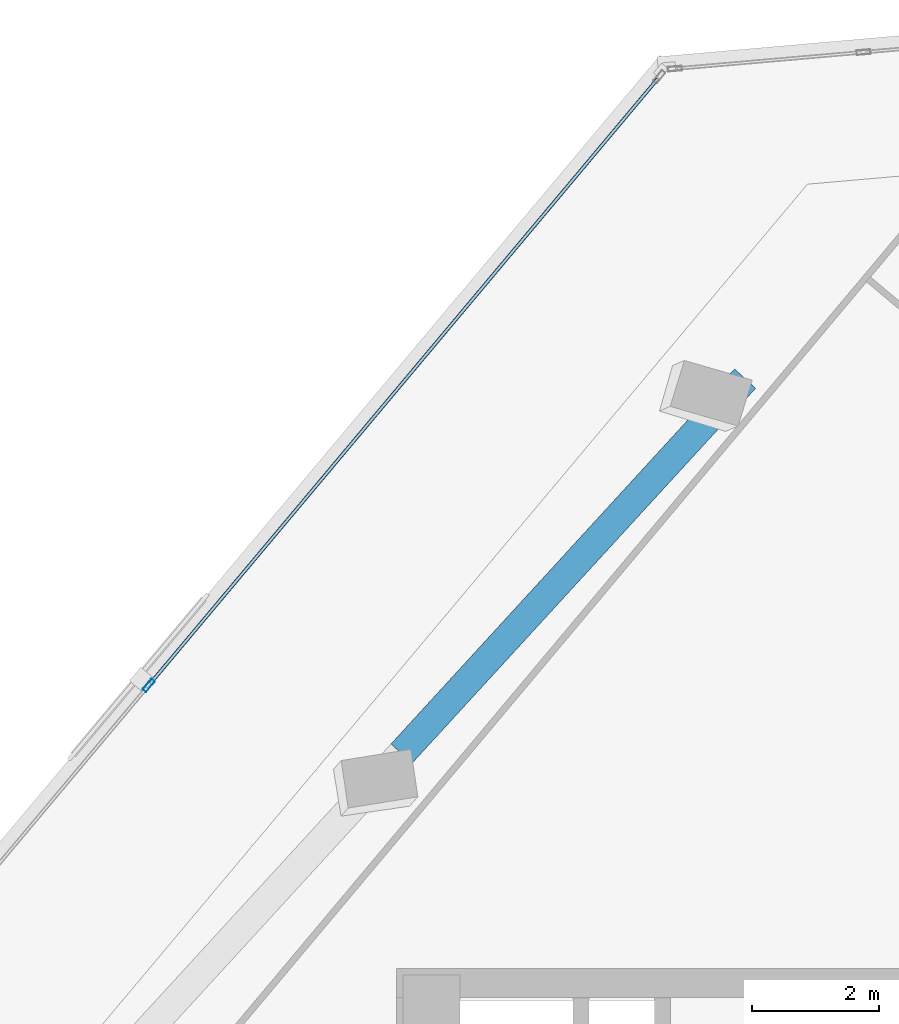
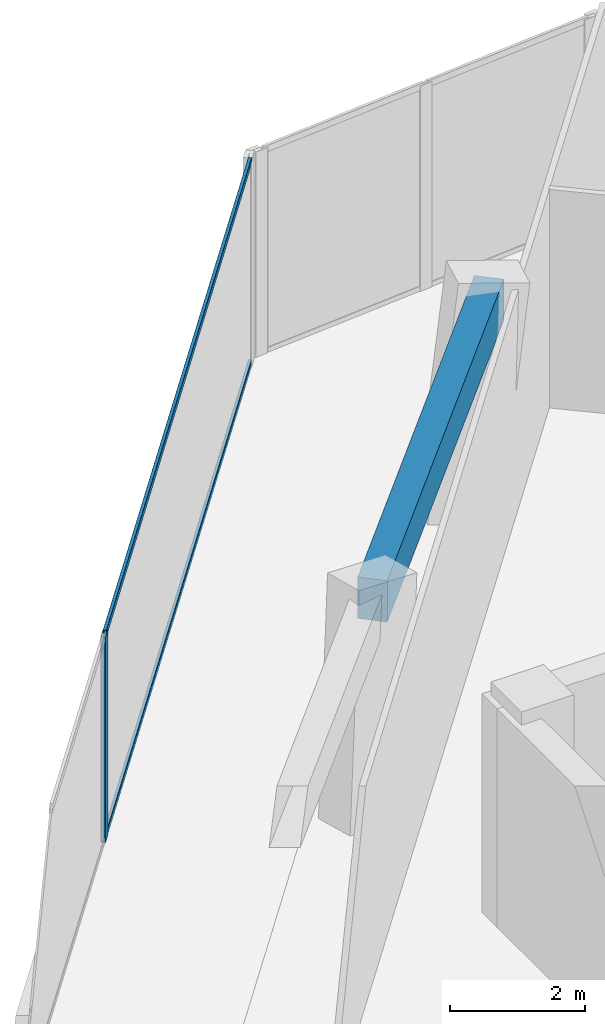
# One storey, part 9 of 18: 3 members, 1 beam, 1 element without a shape of its own.
"""IFC4 building model written with IfcOpenShell, lengths in metres."""

from ifc_helpers import new_model, si_unit, direction, frame, origin, origin_2d, place, context, subcontext, project, spatial, rectangle, hollow_rectangle, extrude, source, transform, mapped, material, material_profile, profile_set, type_object, element, aggregate, save


model = new_model("IFC4")

# Units and contexts
model_context = context("Model", 3, precision=1e-05, world=origin(), true_north=direction((0.0, 1.0)))
body_context = subcontext(model_context, "Body", "Model", "MODEL_VIEW")
ifc_project = project(units=[si_unit("LENGTHUNIT", "METRE"), si_unit("AREAUNIT", "SQUARE_METRE"), si_unit("VOLUMEUNIT", "CUBIC_METRE"), si_unit("PLANEANGLEUNIT", "RADIAN"), si_unit("MASSUNIT", "GRAM", prefix="KILO")], contexts=[model_context])

# Site, building, storey
site_placement = place(None, origin())
site = spatial("IfcSite", under=ifc_project, at=site_placement, CompositionType="ELEMENT")
building_placement = place(site_placement, origin())
building = spatial("IfcBuilding", under=site, at=building_placement, Name="Torre Montelarca", CompositionType="ELEMENT")
storey_placement = place(building_placement, frame((0.0, 0.0, 224.800048828125)))
storey = spatial("IfcBuildingStorey", under=building, at=storey_placement, Name="L50", CompositionType="ELEMENT", Elevation=224.800048828125)

# Beam
ifc_material_1 = material(Name="Concrete C55/67", Category="concrete")
ifc_material_profile_1 = material_profile(ifc_material_1, rectangle(XDim=0.449951171875, YDim=0.75, at=origin_2d()), Name="RCB450X750", Category="concrete")
ifc_profile_set_1 = profile_set([ifc_material_profile_1], Name="Concrete C55/67")
beam_type = type_object("IfcBeamType", Name="BM-SP-RC750-EXT", PredefinedType="SPANDREL", material=ifc_profile_set_1)
shared_shape_1 = source(origin(), body_context, "Body", "SweptSolid", [
    extrude(rectangle(XDim=0.449951171875, YDim=0.75, at=origin_2d()), origin(), (0.0, 0.0, 1.0), 8.0),
])
beam_placement = place(storey_placement, frame((9.076904296875, 43.3837890625, 3.5849609375), z_axis=(0.675596099327, 0.737271938008, 0.0), x_axis=(-0.737271938008, 0.675596099327, 0.0)))
element("IfcBeam", 1, at=beam_placement, inside=storey, type_object=beam_type, Name="L50 Grid Girder Y 32.0-40.0 at X=4.7", PredefinedType="SPANDREL", context=body_context, shape_type="MappedRepresentation", body=[
    mapped(shared_shape_1, transform((0.0, 0.0, 0.0), scale=1.0)),
])

# Curtain wall, members
ifc_material_2 = material(Name="Insulated low-E laminated glass", Category="glass")
curtain_wall_type = type_object("IfcCurtainWallType", Name="CW-SYS-Z3", PredefinedType="USERDEFINED", material=ifc_material_2)
curtain_wall_placement = place(storey_placement, origin())
curtain_wall = element("IfcCurtainWall", 2, at=curtain_wall_placement, inside=storey, type_object=curtain_wall_type, Name="L50 Curtain Wall Run CW-T3-L50-E10-B1", ObjectType="UNITISED GLAZING", PredefinedType="USERDEFINED")
ifc_material_3 = material(Name="Anodised aluminium AA 6063-T6", Category="aluminium")
ifc_material_profile_2 = material_profile(ifc_material_3, hollow_rectangle(XDim=0.054931640625, YDim=0.1201171875, WallThickness=0.00341796875, InnerFilletRadius=0.00341796875, OuterFilletRadius=0.007080078125, at=origin_2d()), Name="ALU55X120X3.5", Category="aluminium")
ifc_profile_set_2 = profile_set([ifc_material_profile_2], Name="Anodised aluminium AA 6063-T6")
member_type_1 = type_object("IfcMemberType", Name="CWT-ALU120", PredefinedType="USERDEFINED", material=ifc_profile_set_2)
shared_shape_2 = source(origin(), body_context, "Body", "SweptSolid", [
    extrude(hollow_rectangle(XDim=0.054931640625, YDim=0.1201171875, WallThickness=0.00341796875, InnerFilletRadius=0.00341796875, OuterFilletRadius=0.007080078125, at=origin_2d()), origin(), (0.0, 0.0, 1.0), 12.421630859375),
])
member_1_placement = place(storey_placement, frame((13.1083984375, 54.000244140625, 0.02734375), z_axis=(-0.64280020299, -0.766033875907, 0.0), x_axis=(0.766033875907, -0.64280020299, 0.0)))
member_1 = element("IfcMember", 3, at=member_1_placement, type_object=member_type_1, Name="CW transom 1.1", ObjectType="TRANSOM", PredefinedType="USERDEFINED", context=body_context, shape_type="MappedRepresentation", body=[
    mapped(shared_shape_2, transform((0.0, 0.0, 0.0), scale=1.0)),
])
member_2_placement = place(storey_placement, frame((13.1083984375, 54.000244140625, 3.6923828125), z_axis=(-0.64280020299, -0.766033875907, 0.0), x_axis=(0.766033875907, -0.64280020299, 0.0)))
member_2 = element("IfcMember", 4, at=member_2_placement, type_object=member_type_1, Name="CW transom 1.2", ObjectType="TRANSOM", PredefinedType="USERDEFINED", context=body_context, shape_type="MappedRepresentation", body=[
    mapped(shared_shape_2, transform((0.0, 0.0, 0.0), scale=1.0)),
])
ifc_material_profile_3 = material_profile(ifc_material_3, hollow_rectangle(XDim=0.074951171875, YDim=0.219970703125, WallThickness=0.0048828125, InnerFilletRadius=0.0048828125, OuterFilletRadius=0.010009765625, at=origin_2d()), Name="ALU75X220X5", Category="aluminium")
ifc_profile_set_3 = profile_set([ifc_material_profile_3], Name="Anodised aluminium AA 6063-T6")
member_type_2 = type_object("IfcMemberType", Name="CWM-ALU220", PredefinedType="MULLION", material=ifc_profile_set_3)
shared_shape_3 = source(origin(), body_context, "Body", "SweptSolid", [
    extrude(hollow_rectangle(XDim=0.074951171875, YDim=0.219970703125, WallThickness=0.0048828125, InnerFilletRadius=0.0048828125, OuterFilletRadius=0.010009765625, at=origin_2d()), origin(), (0.0, 0.0, 1.0), 3.719970703125),
])
member_3_placement = place(storey_placement, frame((5.099609375, 44.4560546875, 0.0), z_axis=(0.0, 0.0, 1.0), x_axis=(0.766043772472, -0.642788408931, 0.0)))
member_3 = element("IfcMember", 5, at=member_3_placement, type_object=member_type_2, Name="CW mullion 2", PredefinedType="MULLION", context=body_context, shape_type="MappedRepresentation", body=[
    mapped(shared_shape_3, transform((0.0, 0.0, 0.0), scale=1.0)),
])
aggregate(curtain_wall, [member_3, member_1, member_2])

save(model, "model.ifc")
